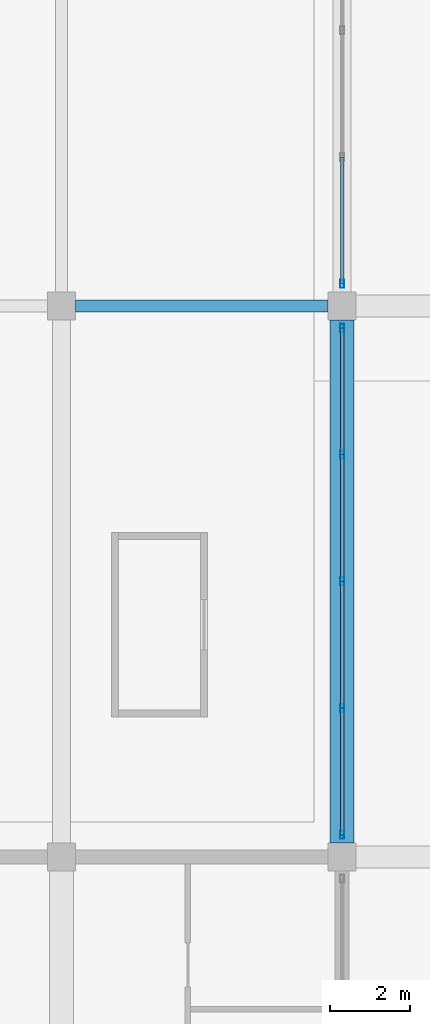
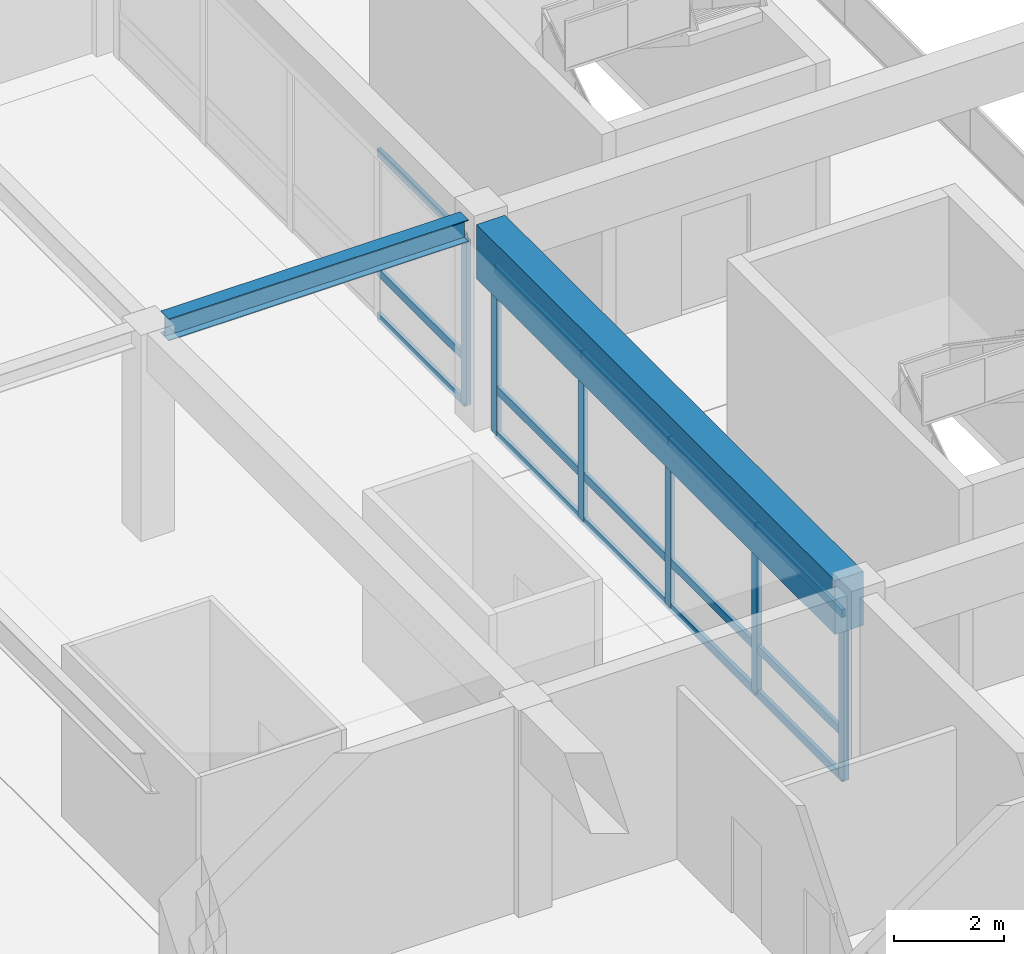
# One storey, part 35 of 94: 21 members, 2 beams, 2 elements without a shape of their own.
"""IFC4 building model written with IfcOpenShell, lengths in metres."""

from ifc_helpers import new_model, si_unit, direction, frame, origin, origin_2d, place, context, subcontext, project, spatial, rectangle, hollow_rectangle, i_section, extrude, material, material_profile, profile_set, type_object, element, aggregate, save


model = new_model("IFC4")

# Units and contexts
model_context = context("Model", 3, precision=1e-05, world=origin(), true_north=direction((0.0, 1.0)))
body_context = subcontext(model_context, "Body", "Model", "MODEL_VIEW")
ifc_project = project(units=[si_unit("LENGTHUNIT", "METRE"), si_unit("AREAUNIT", "SQUARE_METRE"), si_unit("VOLUMEUNIT", "CUBIC_METRE"), si_unit("PLANEANGLEUNIT", "RADIAN"), si_unit("MASSUNIT", "GRAM", prefix="KILO")], contexts=[model_context])

# Site, building, storey
site_placement = place(None, origin())
site = spatial("IfcSite", under=ifc_project, at=site_placement, CompositionType="ELEMENT")
building_placement = place(site_placement, origin())
building = spatial("IfcBuilding", under=site, at=building_placement, Name="Linyun Crest Stadium", CompositionType="ELEMENT")
storey_placement = place(building_placement, frame((0.0, 0.0, 16.199951171875)))
storey = spatial("IfcBuildingStorey", under=building, at=storey_placement, Name="L04", CompositionType="ELEMENT", Elevation=16.199951171875)

# Beam
ifc_material_1 = material(Name="Steel Q355C", Category="steel")
ifc_material_profile_1 = material_profile(ifc_material_1, i_section(OverallWidth=0.300048828125, OverallDepth=0.488037109375, WebThickness=0.010986328125, FlangeThickness=0.01806640625, at=origin_2d()), Name="HM 488x300")
ifc_profile_set_1 = profile_set([ifc_material_profile_1], Name="Steel Q355C")
beam_type_1 = type_object("IfcBeamType", Name="B08", PredefinedType="BEAM", material=ifc_profile_set_1)
beam_1_placement = place(storey_placement, frame((77.35009765625, -11.625, 4.35595703125), z_axis=(1.0, 0.0, 0.0), x_axis=(0.0, 1.0, 0.0)))
element("IfcBeam", 1, at=beam_1_placement, inside=storey, type_object=beam_type_1, Name="Frame beam B08 L04 687", PredefinedType="BEAM", context=body_context, shape_type="SweptSolid", body=[
    extrude(i_section(OverallWidth=0.300048828125, OverallDepth=0.488037109375, WebThickness=0.010986328125, FlangeThickness=0.01806640625, at=origin_2d()), origin(), (0.0, 0.0, 1.0), 6.2998046875),
])

# Curtain wall, members
ifc_material_2 = material(Name="Verdigris steel and low-E curtain wall assembly", Category="steel")
curtain_wall_type = type_object("IfcCurtainWallType", Name="MCW06", PredefinedType="NOTDEFINED", material=ifc_material_2)
curtain_wall_1_placement = place(storey_placement, origin())
curtain_wall_1 = element("IfcCurtainWall", 2, at=curtain_wall_1_placement, inside=storey, type_object=curtain_wall_type, Name="CWR-089", PredefinedType="NOTDEFINED")
ifc_material_3 = material(Name="Verdigris painted steel Q355C mullion", Category="steel")
ifc_material_profile_2 = material_profile(ifc_material_3, hollow_rectangle(XDim=0.10009765625, YDim=0.199951171875, WallThickness=0.008056640625, at=origin_2d()), Name="RHS 200x100x8")
ifc_profile_set_2 = profile_set([ifc_material_profile_2], Name="Verdigris painted steel Q355C mullion")
member_type_1 = type_object("IfcMemberType", Name="ML03", PredefinedType="MULLION", material=ifc_profile_set_2)
member_1_placement = place(storey_placement, frame((84.0, -24.824951171875, 0.0), z_axis=(0.0, 0.0, 1.0), x_axis=(-1.0, 0.0, 0.0)))
member_1 = element("IfcMember", 3, at=member_1_placement, type_object=member_type_1, Name="CWR-089 mullion 1", PredefinedType="MULLION", context=body_context, shape_type="SweptSolid", body=[
    extrude(hollow_rectangle(XDim=0.10009765625, YDim=0.199951171875, WallThickness=0.008056640625, at=origin_2d()), origin(), (0.0, 0.0, 1.0), 3.650146484375),
])
member_2_placement = place(storey_placement, frame((84.0, -21.662109375, 0.0), z_axis=(0.0, 0.0, 1.0), x_axis=(-1.0, 0.0, 0.0)))
member_2 = element("IfcMember", 4, at=member_2_placement, type_object=member_type_1, Name="CWR-089 mullion 2", PredefinedType="MULLION", context=body_context, shape_type="SweptSolid", body=[
    extrude(hollow_rectangle(XDim=0.10009765625, YDim=0.199951171875, WallThickness=0.008056640625, at=origin_2d()), origin(), (0.0, 0.0, 1.0), 3.650146484375),
])
member_3_placement = place(storey_placement, frame((84.0, -18.5, 0.0), z_axis=(0.0, 0.0, 1.0), x_axis=(-1.0, 0.0, 0.0)))
member_3 = element("IfcMember", 5, at=member_3_placement, type_object=member_type_1, Name="CWR-089 mullion 3", PredefinedType="MULLION", context=body_context, shape_type="SweptSolid", body=[
    extrude(hollow_rectangle(XDim=0.10009765625, YDim=0.199951171875, WallThickness=0.008056640625, at=origin_2d()), origin(), (0.0, 0.0, 1.0), 3.650146484375),
])
member_4_placement = place(storey_placement, frame((84.0, -15.337890625, 0.0), z_axis=(0.0, 0.0, 1.0), x_axis=(-1.0, 0.0, 0.0)))
member_4 = element("IfcMember", 6, at=member_4_placement, type_object=member_type_1, Name="CWR-089 mullion 4", PredefinedType="MULLION", context=body_context, shape_type="SweptSolid", body=[
    extrude(hollow_rectangle(XDim=0.10009765625, YDim=0.199951171875, WallThickness=0.008056640625, at=origin_2d()), origin(), (0.0, 0.0, 1.0), 3.650146484375),
])
member_5_placement = place(storey_placement, frame((84.0, -12.175048828125, 0.0), z_axis=(0.0, 0.0, 1.0), x_axis=(-1.0, 0.0, 0.0)))
member_5 = element("IfcMember", 7, at=member_5_placement, type_object=member_type_1, Name="CWR-089 mullion 5", PredefinedType="MULLION", context=body_context, shape_type="SweptSolid", body=[
    extrude(hollow_rectangle(XDim=0.10009765625, YDim=0.199951171875, WallThickness=0.008056640625, at=origin_2d()), origin(), (0.0, 0.0, 1.0), 3.650146484375),
])

# Curtain wall, member
curtain_wall_2_placement = place(storey_placement, origin())
curtain_wall_2 = element("IfcCurtainWall", 8, at=curtain_wall_2_placement, inside=storey, type_object=curtain_wall_type, Name="CWR-098", PredefinedType="NOTDEFINED")
member_6_placement = place(storey_placement, frame((84.0, -11.074951171875, 0.0), z_axis=(0.0, 0.0, 1.0), x_axis=(-1.0, 0.0, 0.0)))
member_6 = element("IfcMember", 9, at=member_6_placement, type_object=member_type_1, Name="CWR-098 mullion 1", PredefinedType="MULLION", context=body_context, shape_type="SweptSolid", body=[
    extrude(hollow_rectangle(XDim=0.10009765625, YDim=0.199951171875, WallThickness=0.008056640625, at=origin_2d()), origin(), (0.0, 0.0, 1.0), 3.650146484375),
])

# Beam
ifc_material_4 = material(Name="Concrete C50", Category="concrete")
ifc_material_profile_3 = material_profile(ifc_material_4, rectangle(XDim=0.60009765625, YDim=1.199951171875, at=origin_2d()), Name="RCB 1200x600")
ifc_profile_set_3 = profile_set([ifc_material_profile_3], Name="Concrete C50")
beam_type_2 = type_object("IfcBeamType", Name="TB02", PredefinedType="USERDEFINED", material=ifc_profile_set_3)
beam_2_placement = place(storey_placement, frame((84.0, -25.02490234375, 4.0), z_axis=(0.0, 1.0, 0.0), x_axis=(-1.0, 0.0, 0.0)))
element("IfcBeam", 10, at=beam_2_placement, inside=storey, type_object=beam_type_2, Name="Frame beam TB02 L04 718", ObjectType="GIRDER", PredefinedType="USERDEFINED", context=body_context, shape_type="SweptSolid", body=[
    extrude(rectangle(XDim=0.60009765625, YDim=1.199951171875, at=origin_2d()), origin(), (0.0, 0.0, 1.0), 13.0498046875),
])

# Member
ifc_material_5 = material(Name="Verdigris painted steel Q355B transom", Category="steel")
ifc_material_profile_4 = material_profile(ifc_material_5, hollow_rectangle(XDim=0.080078125, YDim=0.179931640625, WallThickness=0.006103515625, at=origin_2d()), Name="RHS 180x80x6")
ifc_profile_set_4 = profile_set([ifc_material_profile_4], Name="Verdigris painted steel Q355B transom")
member_type_2 = type_object("IfcMemberType", Name="TR02", PredefinedType="USERDEFINED", material=ifc_profile_set_4)
member_7_placement = place(storey_placement, frame((84.0, -24.824951171875, 0.0), z_axis=(0.0, 1.0, 0.0), x_axis=(-1.0, 0.0, 0.0)))
member_7 = element("IfcMember", 11, at=member_7_placement, type_object=member_type_2, Name="CWR-089 transom 1.1", ObjectType="TRANSOM", PredefinedType="USERDEFINED", context=body_context, shape_type="SweptSolid", body=[
    extrude(hollow_rectangle(XDim=0.080078125, YDim=0.179931640625, WallThickness=0.006103515625, at=origin_2d()), origin(), (0.0, 0.0, 1.0), 3.162841796875),
])

member_8_placement = place(storey_placement, frame((84.0, -24.824951171875, 1.0), z_axis=(0.0, 1.0, 0.0), x_axis=(-1.0, 0.0, 0.0)))
member_8 = element("IfcMember", 12, at=member_8_placement, type_object=member_type_2, Name="CWR-089 transom 1.2", ObjectType="TRANSOM", PredefinedType="USERDEFINED", context=body_context, shape_type="SweptSolid", body=[
    extrude(hollow_rectangle(XDim=0.080078125, YDim=0.179931640625, WallThickness=0.006103515625, at=origin_2d()), origin(), (0.0, 0.0, 1.0), 3.162841796875),
])

member_9_placement = place(storey_placement, frame((84.0, -24.824951171875, 3.650146484375), z_axis=(0.0, 1.0, 0.0), x_axis=(-1.0, 0.0, 0.0)))
member_9 = element("IfcMember", 13, at=member_9_placement, type_object=member_type_2, Name="CWR-089 transom 1.3", ObjectType="TRANSOM", PredefinedType="USERDEFINED", context=body_context, shape_type="SweptSolid", body=[
    extrude(hollow_rectangle(XDim=0.080078125, YDim=0.179931640625, WallThickness=0.006103515625, at=origin_2d()), origin(), (0.0, 0.0, 1.0), 3.162841796875),
])

member_10_placement = place(storey_placement, frame((84.0, -21.662109375, 0.0), z_axis=(0.0, 1.0, 0.0), x_axis=(-1.0, 0.0, 0.0)))
member_10 = element("IfcMember", 14, at=member_10_placement, type_object=member_type_2, Name="CWR-089 transom 2.1", ObjectType="TRANSOM", PredefinedType="USERDEFINED", context=body_context, shape_type="SweptSolid", body=[
    extrude(hollow_rectangle(XDim=0.080078125, YDim=0.179931640625, WallThickness=0.006103515625, at=origin_2d()), origin(), (0.0, 0.0, 1.0), 3.162109375),
])

member_11_placement = place(storey_placement, frame((84.0, -21.662109375, 1.0), z_axis=(0.0, 1.0, 0.0), x_axis=(-1.0, 0.0, 0.0)))
member_11 = element("IfcMember", 15, at=member_11_placement, type_object=member_type_2, Name="CWR-089 transom 2.2", ObjectType="TRANSOM", PredefinedType="USERDEFINED", context=body_context, shape_type="SweptSolid", body=[
    extrude(hollow_rectangle(XDim=0.080078125, YDim=0.179931640625, WallThickness=0.006103515625, at=origin_2d()), origin(), (0.0, 0.0, 1.0), 3.162109375),
])

member_12_placement = place(storey_placement, frame((84.0, -21.662109375, 3.650146484375), z_axis=(0.0, 1.0, 0.0), x_axis=(-1.0, 0.0, 0.0)))
member_12 = element("IfcMember", 16, at=member_12_placement, type_object=member_type_2, Name="CWR-089 transom 2.3", ObjectType="TRANSOM", PredefinedType="USERDEFINED", context=body_context, shape_type="SweptSolid", body=[
    extrude(hollow_rectangle(XDim=0.080078125, YDim=0.179931640625, WallThickness=0.006103515625, at=origin_2d()), origin(), (0.0, 0.0, 1.0), 3.162109375),
])

member_13_placement = place(storey_placement, frame((84.0, -18.5, 0.0), z_axis=(0.0, 1.0, 0.0), x_axis=(-1.0, 0.0, 0.0)))
member_13 = element("IfcMember", 17, at=member_13_placement, type_object=member_type_2, Name="CWR-089 transom 3.1", ObjectType="TRANSOM", PredefinedType="USERDEFINED", context=body_context, shape_type="SweptSolid", body=[
    extrude(hollow_rectangle(XDim=0.080078125, YDim=0.179931640625, WallThickness=0.006103515625, at=origin_2d()), origin(), (0.0, 0.0, 1.0), 3.162109375),
])

member_14_placement = place(storey_placement, frame((84.0, -18.5, 1.0), z_axis=(0.0, 1.0, 0.0), x_axis=(-1.0, 0.0, 0.0)))
member_14 = element("IfcMember", 18, at=member_14_placement, type_object=member_type_2, Name="CWR-089 transom 3.2", ObjectType="TRANSOM", PredefinedType="USERDEFINED", context=body_context, shape_type="SweptSolid", body=[
    extrude(hollow_rectangle(XDim=0.080078125, YDim=0.179931640625, WallThickness=0.006103515625, at=origin_2d()), origin(), (0.0, 0.0, 1.0), 3.162109375),
])

member_15_placement = place(storey_placement, frame((84.0, -18.5, 3.650146484375), z_axis=(0.0, 1.0, 0.0), x_axis=(-1.0, 0.0, 0.0)))
member_15 = element("IfcMember", 19, at=member_15_placement, type_object=member_type_2, Name="CWR-089 transom 3.3", ObjectType="TRANSOM", PredefinedType="USERDEFINED", context=body_context, shape_type="SweptSolid", body=[
    extrude(hollow_rectangle(XDim=0.080078125, YDim=0.179931640625, WallThickness=0.006103515625, at=origin_2d()), origin(), (0.0, 0.0, 1.0), 3.162109375),
])

member_16_placement = place(storey_placement, frame((84.0, -15.337890625, 0.0), z_axis=(0.0, 1.0, 0.0), x_axis=(-1.0, 0.0, 0.0)))
member_16 = element("IfcMember", 20, at=member_16_placement, type_object=member_type_2, Name="CWR-089 transom 4.1", ObjectType="TRANSOM", PredefinedType="USERDEFINED", context=body_context, shape_type="SweptSolid", body=[
    extrude(hollow_rectangle(XDim=0.080078125, YDim=0.179931640625, WallThickness=0.006103515625, at=origin_2d()), origin(), (0.0, 0.0, 1.0), 3.162841796875),
])

member_17_placement = place(storey_placement, frame((84.0, -15.337890625, 1.0), z_axis=(0.0, 1.0, 0.0), x_axis=(-1.0, 0.0, 0.0)))
member_17 = element("IfcMember", 21, at=member_17_placement, type_object=member_type_2, Name="CWR-089 transom 4.2", ObjectType="TRANSOM", PredefinedType="USERDEFINED", context=body_context, shape_type="SweptSolid", body=[
    extrude(hollow_rectangle(XDim=0.080078125, YDim=0.179931640625, WallThickness=0.006103515625, at=origin_2d()), origin(), (0.0, 0.0, 1.0), 3.162841796875),
])

member_18_placement = place(storey_placement, frame((84.0, -15.337890625, 3.650146484375), z_axis=(0.0, 1.0, 0.0), x_axis=(-1.0, 0.0, 0.0)))
member_18 = element("IfcMember", 22, at=member_18_placement, type_object=member_type_2, Name="CWR-089 transom 4.3", ObjectType="TRANSOM", PredefinedType="USERDEFINED", context=body_context, shape_type="SweptSolid", body=[
    extrude(hollow_rectangle(XDim=0.080078125, YDim=0.179931640625, WallThickness=0.006103515625, at=origin_2d()), origin(), (0.0, 0.0, 1.0), 3.162841796875),
])

aggregate(curtain_wall_1, [member_1, member_2, member_3, member_4, member_5, member_7, member_8, member_9, member_10, member_11, member_12, member_13, member_14, member_15, member_16, member_17, member_18])

member_19_placement = place(storey_placement, frame((84.0, -11.074951171875, 0.0), z_axis=(0.0, 1.0, 0.0), x_axis=(-1.0, 0.0, 0.0)))
member_19 = element("IfcMember", 23, at=member_19_placement, type_object=member_type_2, Name="CWR-098 transom 1.1", ObjectType="TRANSOM", PredefinedType="USERDEFINED", context=body_context, shape_type="SweptSolid", body=[
    extrude(hollow_rectangle(XDim=0.080078125, YDim=0.179931640625, WallThickness=0.006103515625, at=origin_2d()), origin(), (0.0, 0.0, 1.0), 3.162841796875),
])

member_20_placement = place(storey_placement, frame((84.0, -11.074951171875, 1.0), z_axis=(0.0, 1.0, 0.0), x_axis=(-1.0, 0.0, 0.0)))
member_20 = element("IfcMember", 24, at=member_20_placement, type_object=member_type_2, Name="CWR-098 transom 1.2", ObjectType="TRANSOM", PredefinedType="USERDEFINED", context=body_context, shape_type="SweptSolid", body=[
    extrude(hollow_rectangle(XDim=0.080078125, YDim=0.179931640625, WallThickness=0.006103515625, at=origin_2d()), origin(), (0.0, 0.0, 1.0), 3.162841796875),
])

member_21_placement = place(storey_placement, frame((84.0, -11.074951171875, 3.650146484375), z_axis=(0.0, 1.0, 0.0), x_axis=(-1.0, 0.0, 0.0)))
member_21 = element("IfcMember", 25, at=member_21_placement, type_object=member_type_2, Name="CWR-098 transom 1.3", ObjectType="TRANSOM", PredefinedType="USERDEFINED", context=body_context, shape_type="SweptSolid", body=[
    extrude(hollow_rectangle(XDim=0.080078125, YDim=0.179931640625, WallThickness=0.006103515625, at=origin_2d()), origin(), (0.0, 0.0, 1.0), 3.162841796875),
])

aggregate(curtain_wall_2, [member_6, member_19, member_20, member_21])

save(model, "model.ifc")
